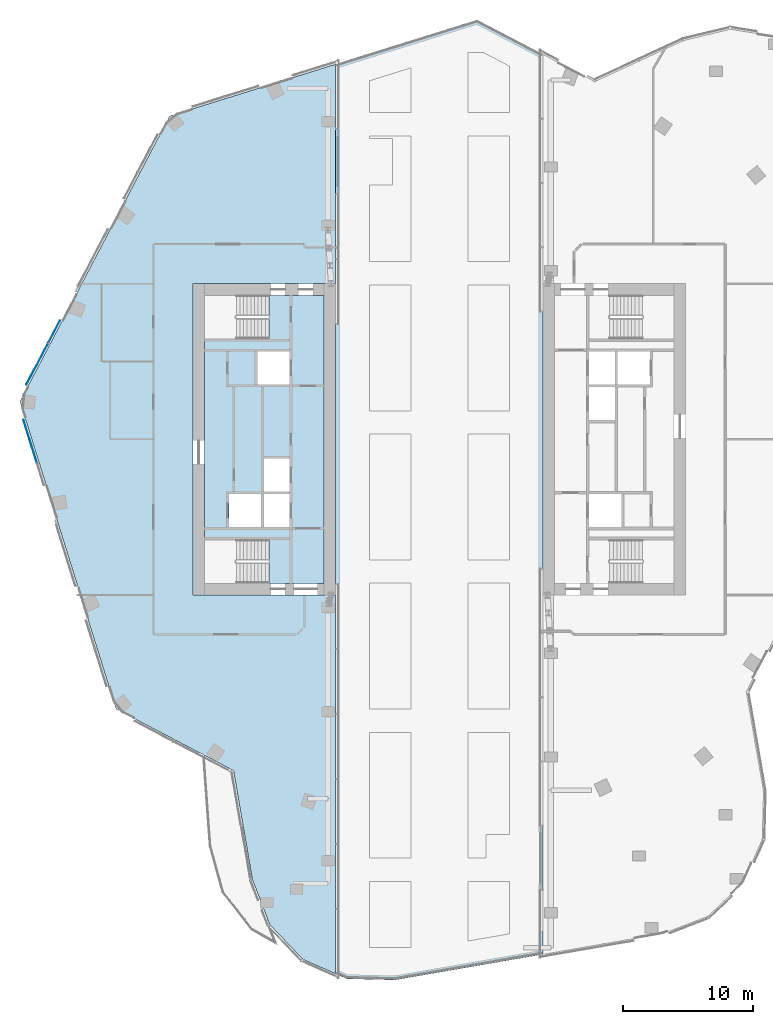
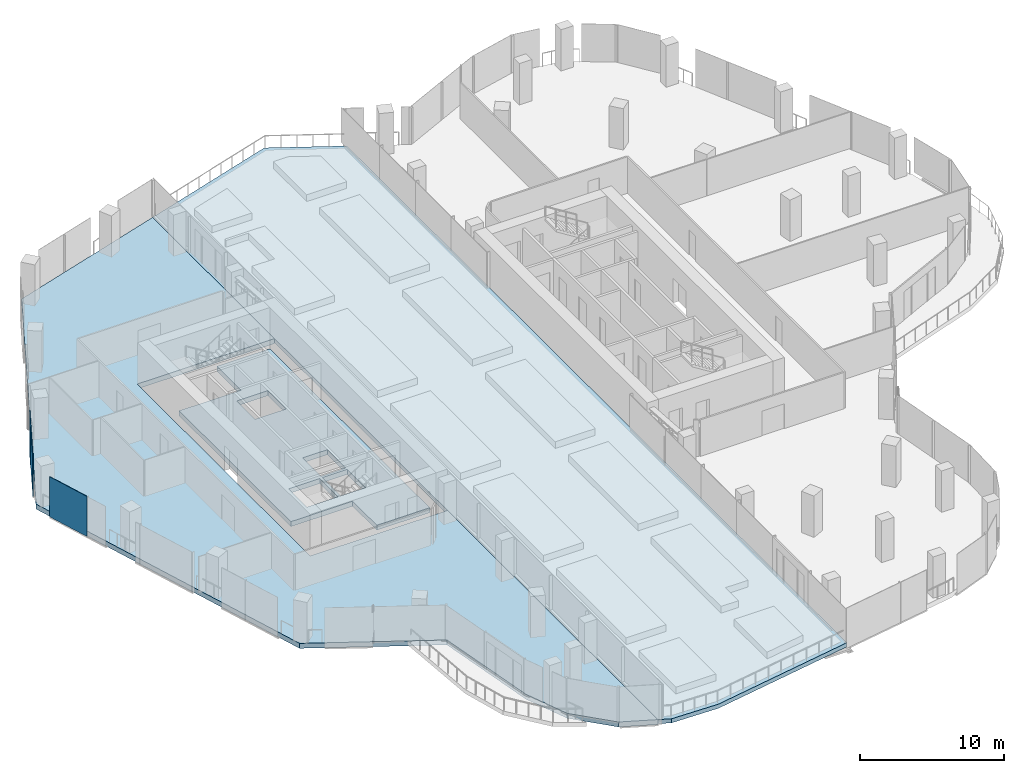
# One storey, part 15 of 26: 3 plates, 3 slabs, 2 elements without a shape of their own.
"""IFC4 building model written with IfcOpenShell, lengths in metres."""

from ifc_helpers import new_model, si_unit, direction, frame, origin, origin_2d, place, context, subcontext, project, spatial, polyline, rectangle, outline, extrude, material, layer, layer_set, type_object, element, aggregate, save


model = new_model("IFC4")

# Units and contexts
model_context = context("Model", 3, precision=1e-05, world=origin(), true_north=direction((0.0, 1.0)))
body_context = subcontext(model_context, "Body", "Model", "MODEL_VIEW")
ifc_project = project(units=[si_unit("LENGTHUNIT", "METRE"), si_unit("AREAUNIT", "SQUARE_METRE"), si_unit("VOLUMEUNIT", "CUBIC_METRE"), si_unit("PLANEANGLEUNIT", "RADIAN"), si_unit("MASSUNIT", "GRAM", prefix="KILO")], contexts=[model_context])

# Site, building, storey
site_placement = place(None, origin())
site = spatial("IfcSite", under=ifc_project, at=site_placement, CompositionType="ELEMENT")
building_placement = place(site_placement, origin())
building = spatial("IfcBuilding", under=site, at=building_placement, Name="Orlundy Tower", CompositionType="ELEMENT")
storey_placement = place(building_placement, frame((0.0, 0.0, 253.5)))
storey = spatial("IfcBuildingStorey", under=building, at=storey_placement, Name="L67", CompositionType="ELEMENT", Elevation=253.5)

# Curtain wall, plate
ifc_material_1 = material(Name="Aluminium bronze anodised", Category="aluminium")
curtain_wall_type = type_object("IfcCurtainWallType", Name="CW1 wall", PredefinedType="NOTDEFINED", material=ifc_material_1)
curtain_wall_1_placement = place(storey_placement, origin())
curtain_wall_1 = element("IfcCurtainWall", 1, at=curtain_wall_1_placement, inside=storey, type_object=curtain_wall_type, Name="CW1 run 01", PredefinedType="NOTDEFINED")
ifc_material_2 = material(Name="Tinted glass", Category="glass")
ifc_layer_1 = layer(ifc_material_2, 0.031982421875)
ifc_layer_set_1 = layer_set([ifc_layer_1], Name="CW1 glass panel 32")
plate_type = type_object("IfcPlateType", Name="CW1 glass panel 32", PredefinedType="CURTAIN_PANEL", material=ifc_layer_set_1)
plate_1_placement = place(storey_placement, frame((-31.54638671875, -0.168701171875, -0.300048828125), z_axis=(0.0, 0.0, 1.0), x_axis=(-0.297954226643, 0.954580158408, 0.0)))
plate_1 = element("IfcPlate", 2, at=plate_1_placement, type_object=plate_type, Name="CW1 panel", PredefinedType="CURTAIN_PANEL", context=body_context, shape_type="SweptSolid", body=[
    extrude(rectangle(XDim=3.513916015625, YDim=0.031982421875, at=origin_2d()), origin(), (0.0, 0.0, 1.0), 3.39990234375),
])
aggregate(curtain_wall_1, [plate_1])

# Curtain wall, plates
curtain_wall_2_placement = place(storey_placement, origin())
curtain_wall_2 = element("IfcCurtainWall", 3, at=curtain_wall_2_placement, inside=storey, type_object=curtain_wall_type, Name="CW1 run 02", PredefinedType="NOTDEFINED")
plate_2_placement = place(storey_placement, frame((-31.016357421875, 5.8017578125, -0.300048828125), z_axis=(0.0, 0.0, 1.0), x_axis=(0.464336233904, 0.885658998646, 0.0)))
plate_2 = element("IfcPlate", 4, at=plate_2_placement, type_object=plate_type, Name="CW1 panel", PredefinedType="CURTAIN_PANEL", context=body_context, shape_type="SweptSolid", body=[
    extrude(rectangle(XDim=3.564208984375, YDim=0.031982421875, at=origin_2d()), origin(), (0.0, 0.0, 1.0), 3.39990234375),
])
plate_3_placement = place(storey_placement, frame((-29.71728515625, 8.27978515625, -0.300048828125), z_axis=(0.0, 0.0, 1.0), x_axis=(0.464336233904, 0.885658998646, 0.0)))
plate_3 = element("IfcPlate", 5, at=plate_3_placement, type_object=plate_type, Name="CW1 panel", PredefinedType="CURTAIN_PANEL", context=body_context, shape_type="SweptSolid", body=[
    extrude(rectangle(XDim=1.931396484375, YDim=0.031982421875, at=origin_2d()), origin(), (0.0, 0.0, 1.0), 3.39990234375),
])
aggregate(curtain_wall_2, [plate_2, plate_3])

# Slabs
ifc_material_3 = material(Name="Concrete C50/60", Category="concrete")
ifc_layer_2 = layer(ifc_material_3, 0.419921875)
ifc_layer_set_2 = layer_set([ifc_layer_2], Name="Core Floor Slab 420")
slab_type_1 = type_object("IfcSlabType", Name="Core Floor Slab 420", PredefinedType="FLOOR", material=ifc_layer_set_2)
slab_1_placement = place(storey_placement, frame((0.0, 0.0, -0.419921875)))
element("IfcSlab", 6, at=slab_1_placement, inside=storey, type_object=slab_type_1, Name="Core floor W51", PredefinedType="FLOOR", context=body_context, shape_type="SweptSolid", body=[
    extrude(outline(polyline([(-18.10009765625, 7.75), (-13.14501953125, 7.75), (-13.14501953125, 11.10009765625), (-8.89990234375, 11.10009765625), (-8.89990234375, -11.10009765625), (-13.14501953125, -11.10009765625), (-13.14501953125, -7.75), (-18.10009765625, -7.75), (-18.10009765625, 7.75)]), holes=[polyline([(-13.5400390625, -4.22509765625), (-13.5400390625, -6.77490234375), (-11.5400390625, -6.77490234375), (-11.5400390625, -4.22509765625), (-13.5400390625, -4.22509765625)]), polyline([(-13.739990234375, -4.22509765625), (-16.239990234375, -4.22509765625), (-16.239990234375, -6.77490234375), (-13.739990234375, -6.77490234375), (-13.739990234375, -4.22509765625)]), polyline([(-11.5400390625, -4.02490234375), (-11.5400390625, -1.47509765625), (-13.5400390625, -1.47509765625), (-13.5400390625, -4.02490234375), (-11.5400390625, -4.02490234375)]), polyline([(-14.0400390625, 4.22509765625), (-11.5400390625, 4.22509765625), (-11.5400390625, 6.77490234375), (-14.0400390625, 6.77490234375), (-14.0400390625, 4.22509765625)])]), origin(), (0.0, 0.0, 1.0), 0.419921875),
])
ifc_material_4 = material(Name="Concrete C45/55", Category="concrete")
ifc_layer_3 = layer(ifc_material_4, 0.35009765625)
ifc_layer_set_3 = layer_set([ifc_layer_3], Name="TERRACE SLAB 350 C45/55")
slab_type_2 = type_object("IfcSlabType", Name="TERRACE SLAB 350 C45/55", PredefinedType="ROOF", material=ifc_layer_set_3)
slab_2_placement = place(storey_placement, frame((0.0, 0.0, -0.35009765625)))
element("IfcSlab", 7, at=slab_2_placement, inside=storey, type_object=slab_type_2, Name="Deck slab L67-3", PredefinedType="ROOF", context=body_context, shape_type="SweptSolid", body=[
    extrude(outline(polyline([(2.924072265625, 32.340087890625), (8.0, 29.678955078125), (8.0, -39.717041015625), (-3.428955078125, -41.697998046875), (-7.135009765625, -41.60693359375), (-8.0, -41.222900390625), (-8.0, 28.929931640625), (2.924072265625, 32.340087890625)])), origin(), (0.0, 0.0, 1.0), 0.35009765625),
])
ifc_material_5 = material(Name="Concrete C45/55", Category="concrete")
ifc_layer_4 = layer(ifc_material_5, 0.419921875)
ifc_layer_set_4 = layer_set([ifc_layer_4], Name="TRANSFER FLOOR SLAB 420 C45/55")
slab_type_3 = type_object("IfcSlabType", Name="TRANSFER FLOOR SLAB 420 C45/55", PredefinedType="FLOOR", material=ifc_layer_set_4)
slab_3_placement = place(storey_placement, frame((0.0, 0.0, -0.419921875)))
element("IfcSlab", 8, at=slab_3_placement, inside=storey, type_object=slab_type_3, Name="Floor slab L67", PredefinedType="FLOOR", context=body_context, shape_type="SweptSolid", body=[
    extrude(outline(polyline([(-24.93505859375, -20.800048828125), (-32.340087890625, 2.924072265625), (-20.800048828125, 24.93505859375), (-8.0, 28.929931640625), (-8.0, 12.0), (-19.0, 12.0), (-19.0, -12.0), (-8.0, -12.0), (-8.0, -41.222900390625), (-10.52294921875, -40.10400390625), (-13.0791015625, -37.4189453125), (-14.412109375, -33.9599609375), (-15.868896484375, -25.552978515625), (-24.93505859375, -20.800048828125)])), origin(), (0.0, 0.0, 1.0), 0.419921875),
])

save(model, "model.ifc")
